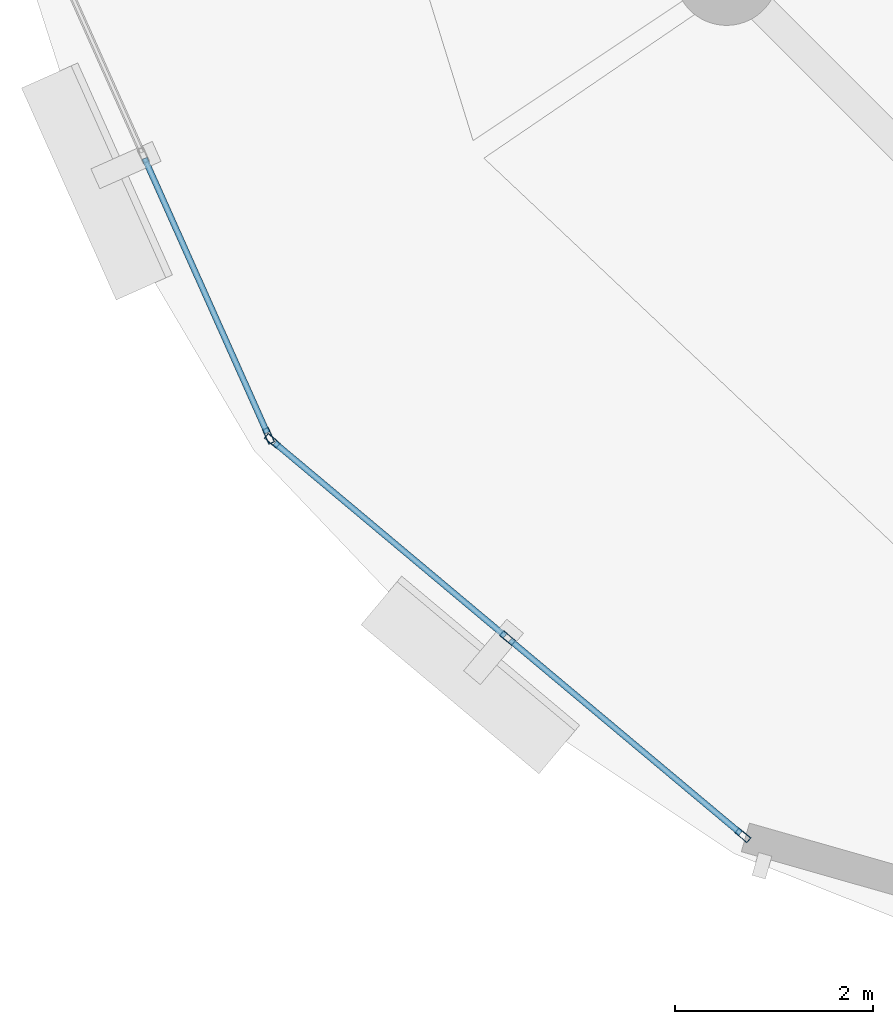
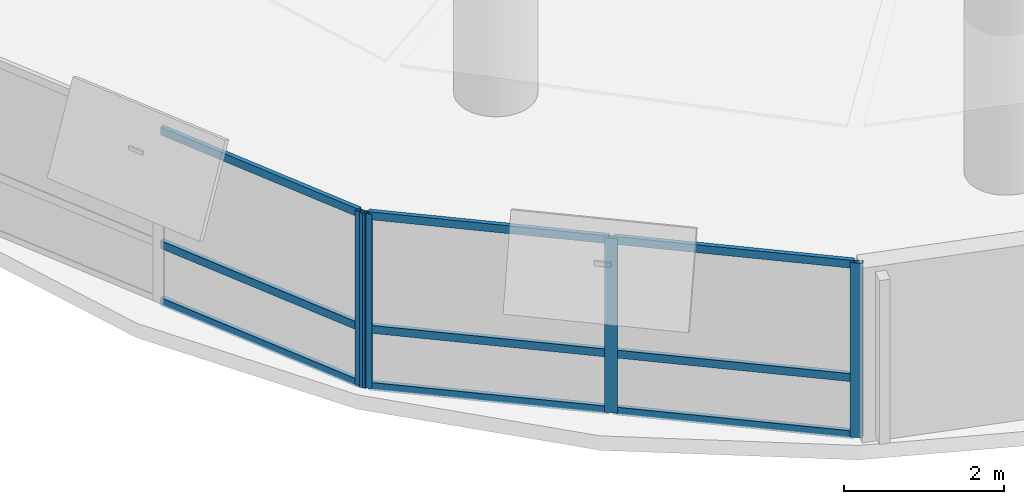
# One storey, part 2 of 12: 13 members, 2 elements without a shape of their own.
"""IFC4 building model written with IfcOpenShell, lengths in metres."""

from ifc_helpers import new_model, si_unit, direction, frame, origin, origin_2d, place, context, subcontext, project, spatial, hollow_rectangle, extrude, material, layer, layer_set, material_profile, profile_set, type_object, element, aggregate, save


model = new_model("IFC4")

# Units and contexts
model_context = context("Model", 3, precision=1e-05, world=origin(), true_north=direction((0.0, 1.0)))
body_context = subcontext(model_context, "Body", "Model", "MODEL_VIEW")
ifc_project = project(units=[si_unit("LENGTHUNIT", "METRE"), si_unit("AREAUNIT", "SQUARE_METRE"), si_unit("VOLUMEUNIT", "CUBIC_METRE"), si_unit("PLANEANGLEUNIT", "RADIAN"), si_unit("MASSUNIT", "GRAM", prefix="KILO"), si_unit("THERMODYNAMICTEMPERATUREUNIT", "KELVIN"), si_unit("POWERUNIT", "WATT")], contexts=[model_context])

# Site, building, storey
site_placement = place(None, origin())
site = spatial("IfcSite", under=ifc_project, at=site_placement, CompositionType="ELEMENT")
building_placement = place(site_placement, origin())
building = spatial("IfcBuilding", under=site, at=building_placement, Name="Ocrelia Relay Tower", CompositionType="ELEMENT")
storey_placement = place(building_placement, frame((0.0, 0.0, 188.0)))
storey = spatial("IfcBuildingStorey", under=building, at=storey_placement, Name="L45", CompositionType="ELEMENT", Elevation=188.0)

# Curtain wall, member
ifc_material_1 = material(Name="Aluminium and solar-control low-E glass", Category="aluminium")
ifc_layer = layer(ifc_material_1, 0.179931640625, Name="Aluminium and solar-control low-E glass")
ifc_layer_set = layer_set([ifc_layer], Name="Aluminium and solar-control low-E glass")
curtain_wall_type = type_object("IfcCurtainWallType", Name="CW-SYS-Z3-CLOU", PredefinedType="NOTDEFINED", material=ifc_layer_set)
curtain_wall_1_placement = place(storey_placement, origin())
curtain_wall_1 = element("IfcCurtainWall", 1, at=curtain_wall_1_placement, inside=storey, type_object=curtain_wall_type, Name="L45 Elliptical Tower Curtain Wall Bay 09", PredefinedType="NOTDEFINED")
ifc_material_2 = material(Name="Anodised bronze aluminium", Category="aluminium")
ifc_material_profile_1 = material_profile(ifc_material_2, hollow_rectangle(XDim=0.06494140625, YDim=0.159912109375, WallThickness=0.0048828125, at=origin_2d()), Name="CW-MUL-160x65")
ifc_profile_set_1 = profile_set([ifc_material_profile_1], Name="Anodised bronze aluminium")
member_type_1 = type_object("IfcMemberType", Name="CW-SYS-Z3-CLOU-MUL", PredefinedType="MULLION", material=ifc_profile_set_1)
member_1_placement = place(storey_placement, frame((15.31103515625, 11.930908203125, 0.0), z_axis=(0.0, 0.0, 1.0), x_axis=(0.913048564205, 0.407850854361, 0.0)))
member_1 = element("IfcMember", 2, at=member_1_placement, type_object=member_type_1, Name="CW-Z3 mullion 3", PredefinedType="MULLION", context=body_context, shape_type="SweptSolid", body=[
    extrude(hollow_rectangle(XDim=0.06494140625, YDim=0.159912109375, WallThickness=0.0048828125, at=origin_2d()), origin(), (0.0, 0.0, 1.0), 2.659912109375),
])

# Curtain wall, members
curtain_wall_2_placement = place(storey_placement, origin())
curtain_wall_2 = element("IfcCurtainWall", 3, at=curtain_wall_2_placement, inside=storey, type_object=curtain_wall_type, Name="L45 Elliptical Tower Curtain Wall Bay 10", PredefinedType="NOTDEFINED")
member_2_placement = place(storey_placement, frame((15.34912109375, 11.88037109375, 0.0), z_axis=(0.0, 0.0, 1.0), x_axis=(0.642379841632, 0.766386416284, 0.0)))
member_2 = element("IfcMember", 4, at=member_2_placement, type_object=member_type_1, Name="CW-Z3 mullion 1", PredefinedType="MULLION", context=body_context, shape_type="SweptSolid", body=[
    extrude(hollow_rectangle(XDim=0.06494140625, YDim=0.159912109375, WallThickness=0.0048828125, at=origin_2d()), origin(), (0.0, 0.0, 1.0), 2.659912109375),
])
member_3_placement = place(storey_placement, frame((17.731689453125, 9.88330078125, 0.0), z_axis=(0.0, 0.0, 1.0), x_axis=(0.642379841632, 0.766386416284, 0.0)))
member_3 = element("IfcMember", 5, at=member_3_placement, type_object=member_type_1, Name="CW-Z3 mullion 2", PredefinedType="MULLION", context=body_context, shape_type="SweptSolid", body=[
    extrude(hollow_rectangle(XDim=0.06494140625, YDim=0.159912109375, WallThickness=0.0048828125, at=origin_2d()), origin(), (0.0, 0.0, 1.0), 2.659912109375),
])
member_4_placement = place(storey_placement, frame((20.1142578125, 7.88623046875, 0.0), z_axis=(0.0, 0.0, 1.0), x_axis=(0.642379841632, 0.766386416284, 0.0)))
member_4 = element("IfcMember", 6, at=member_4_placement, type_object=member_type_1, Name="CW-Z3 mullion 3", PredefinedType="MULLION", context=body_context, shape_type="SweptSolid", body=[
    extrude(hollow_rectangle(XDim=0.06494140625, YDim=0.159912109375, WallThickness=0.0048828125, at=origin_2d()), origin(), (0.0, 0.0, 1.0), 2.659912109375),
])

# Member
ifc_material_profile_2 = material_profile(ifc_material_2, hollow_rectangle(XDim=0.06005859375, YDim=0.1201171875, WallThickness=0.0048828125, at=origin_2d()), Name="CW-TRN-120x60")
ifc_profile_set_2 = profile_set([ifc_material_profile_2], Name="Anodised bronze aluminium")
member_type_2 = type_object("IfcMemberType", Name="CW-SYS-Z3-CLOU-TRN", PredefinedType="USERDEFINED", material=ifc_profile_set_2)
member_5_placement = place(storey_placement, frame((14.05615234375, 14.73974609375, 0.030029296875), z_axis=(0.407841907197, -0.913052560773, 0.0), x_axis=(0.913052560773, 0.407841907197, 0.0)))
member_5 = element("IfcMember", 7, at=member_5_placement, type_object=member_type_2, Name="CW-Z3 transom 2.1", ObjectType="TRANSOM", PredefinedType="USERDEFINED", context=body_context, shape_type="SweptSolid", body=[
    extrude(hollow_rectangle(XDim=0.06005859375, YDim=0.1201171875, WallThickness=0.0048828125, at=origin_2d()), origin(), (0.0, 0.0, 1.0), 3.0439453125),
])

member_6_placement = place(storey_placement, frame((14.05615234375, 14.73974609375, 0.89990234375), z_axis=(0.407841907197, -0.913052560773, 0.0), x_axis=(0.913052560773, 0.407841907197, 0.0)))
member_6 = element("IfcMember", 8, at=member_6_placement, type_object=member_type_2, Name="CW-Z3 transom 2.2", ObjectType="TRANSOM", PredefinedType="USERDEFINED", context=body_context, shape_type="SweptSolid", body=[
    extrude(hollow_rectangle(XDim=0.06005859375, YDim=0.1201171875, WallThickness=0.0048828125, at=origin_2d()), origin(), (0.0, 0.0, 1.0), 3.0439453125),
])

member_7_placement = place(storey_placement, frame((14.05615234375, 14.73974609375, 2.6298828125), z_axis=(0.407841907197, -0.913052560773, 0.0), x_axis=(0.913052560773, 0.407841907197, 0.0)))
member_7 = element("IfcMember", 9, at=member_7_placement, type_object=member_type_2, Name="CW-Z3 transom 2.3", ObjectType="TRANSOM", PredefinedType="USERDEFINED", context=body_context, shape_type="SweptSolid", body=[
    extrude(hollow_rectangle(XDim=0.06005859375, YDim=0.1201171875, WallThickness=0.0048828125, at=origin_2d()), origin(), (0.0, 0.0, 1.0), 3.0439453125),
])

aggregate(curtain_wall_1, [member_1, member_5, member_6, member_7])

member_8_placement = place(storey_placement, frame((15.3740234375, 11.859375, 0.030029296875), z_axis=(0.766383869911, -0.642382879551, 0.0), x_axis=(0.642382879551, 0.766383869911, 0.0)))
member_8 = element("IfcMember", 10, at=member_8_placement, type_object=member_type_2, Name="CW-Z3 transom 1.1", ObjectType="TRANSOM", PredefinedType="USERDEFINED", context=body_context, shape_type="SweptSolid", body=[
    extrude(hollow_rectangle(XDim=0.06005859375, YDim=0.1201171875, WallThickness=0.0048828125, at=origin_2d()), origin(), (0.0, 0.0, 1.0), 3.0439453125),
])

member_9_placement = place(storey_placement, frame((15.3740234375, 11.859375, 0.89990234375), z_axis=(0.766383869911, -0.642382879551, 0.0), x_axis=(0.642382879551, 0.766383869911, 0.0)))
member_9 = element("IfcMember", 11, at=member_9_placement, type_object=member_type_2, Name="CW-Z3 transom 1.2", ObjectType="TRANSOM", PredefinedType="USERDEFINED", context=body_context, shape_type="SweptSolid", body=[
    extrude(hollow_rectangle(XDim=0.06005859375, YDim=0.1201171875, WallThickness=0.0048828125, at=origin_2d()), origin(), (0.0, 0.0, 1.0), 3.0439453125),
])

member_10_placement = place(storey_placement, frame((15.3740234375, 11.859375, 2.6298828125), z_axis=(0.766383869911, -0.642382879551, 0.0), x_axis=(0.642382879551, 0.766383869911, 0.0)))
member_10 = element("IfcMember", 12, at=member_10_placement, type_object=member_type_2, Name="CW-Z3 transom 1.3", ObjectType="TRANSOM", PredefinedType="USERDEFINED", context=body_context, shape_type="SweptSolid", body=[
    extrude(hollow_rectangle(XDim=0.06005859375, YDim=0.1201171875, WallThickness=0.0048828125, at=origin_2d()), origin(), (0.0, 0.0, 1.0), 3.0439453125),
])

member_11_placement = place(storey_placement, frame((17.756591796875, 9.8623046875, 0.030029296875), z_axis=(0.766383869911, -0.642382879551, 0.0), x_axis=(0.642382879551, 0.766383869911, 0.0)))
member_11 = element("IfcMember", 13, at=member_11_placement, type_object=member_type_2, Name="CW-Z3 transom 2.1", ObjectType="TRANSOM", PredefinedType="USERDEFINED", context=body_context, shape_type="SweptSolid", body=[
    extrude(hollow_rectangle(XDim=0.06005859375, YDim=0.1201171875, WallThickness=0.0048828125, at=origin_2d()), origin(), (0.0, 0.0, 1.0), 3.0439453125),
])

member_12_placement = place(storey_placement, frame((17.756591796875, 9.8623046875, 0.89990234375), z_axis=(0.766383869911, -0.642382879551, 0.0), x_axis=(0.642382879551, 0.766383869911, 0.0)))
member_12 = element("IfcMember", 14, at=member_12_placement, type_object=member_type_2, Name="CW-Z3 transom 2.2", ObjectType="TRANSOM", PredefinedType="USERDEFINED", context=body_context, shape_type="SweptSolid", body=[
    extrude(hollow_rectangle(XDim=0.06005859375, YDim=0.1201171875, WallThickness=0.0048828125, at=origin_2d()), origin(), (0.0, 0.0, 1.0), 3.0439453125),
])

member_13_placement = place(storey_placement, frame((17.756591796875, 9.8623046875, 2.6298828125), z_axis=(0.766383869911, -0.642382879551, 0.0), x_axis=(0.642382879551, 0.766383869911, 0.0)))
member_13 = element("IfcMember", 15, at=member_13_placement, type_object=member_type_2, Name="CW-Z3 transom 2.3", ObjectType="TRANSOM", PredefinedType="USERDEFINED", context=body_context, shape_type="SweptSolid", body=[
    extrude(hollow_rectangle(XDim=0.06005859375, YDim=0.1201171875, WallThickness=0.0048828125, at=origin_2d()), origin(), (0.0, 0.0, 1.0), 3.0439453125),
])

aggregate(curtain_wall_2, [member_2, member_3, member_4, member_8, member_9, member_10, member_11, member_12, member_13])

save(model, "model.ifc")
